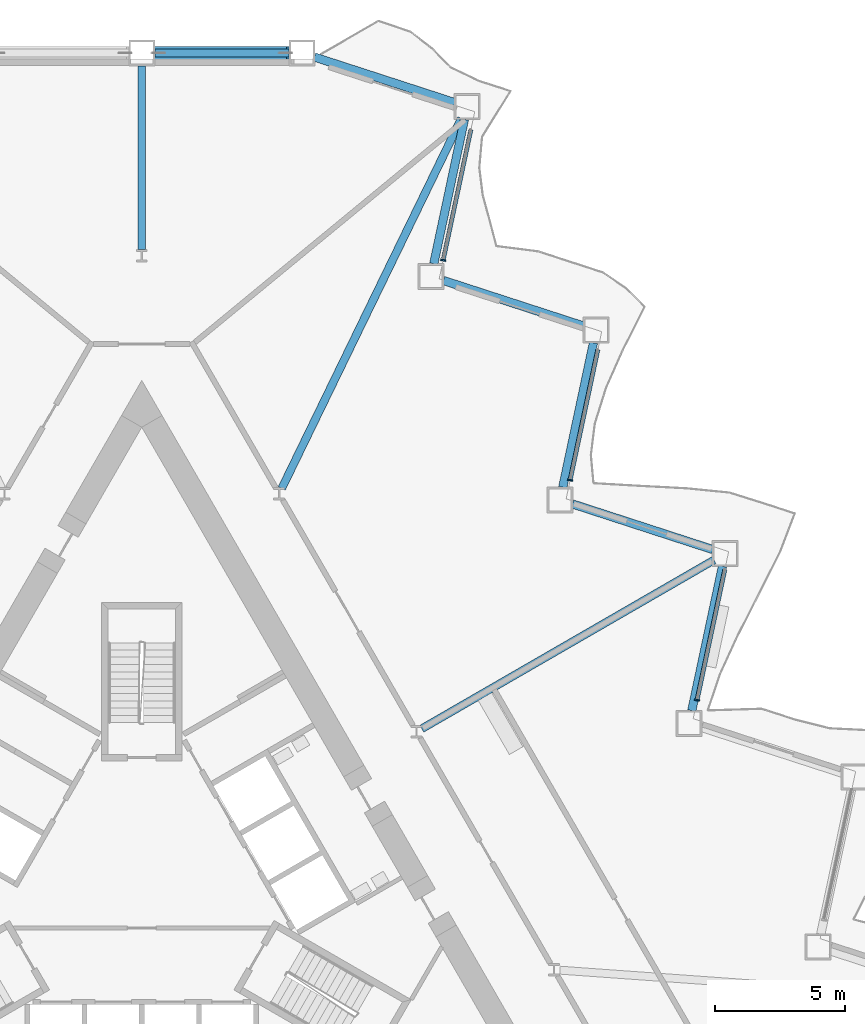
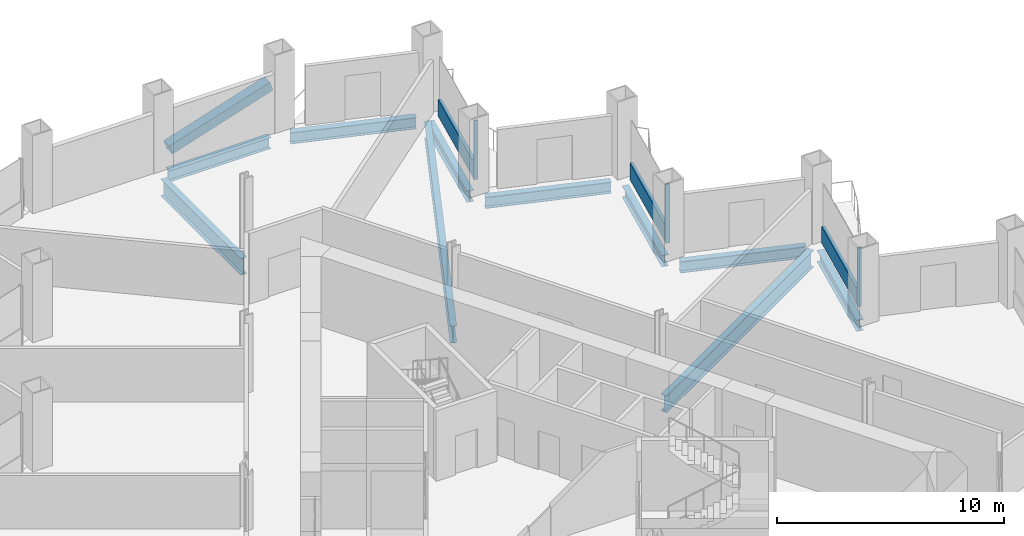
# One storey, part 7 of 20: 10 beams, 7 members, 3 elements without a shape of their own.
"""IFC4 building model written with IfcOpenShell, lengths in metres."""

from ifc_helpers import new_model, si_unit, direction, frame, origin, origin_2d, place, context, subcontext, project, spatial, rectangle, hollow_rectangle, i_section, extrude, material, layer, layer_set, material_profile, profile_set, type_object, element, aggregate, save


model = new_model("IFC4")

# Units and contexts
model_context = context("Model", 3, precision=1e-05, world=origin(), true_north=direction((0.0, 1.0)))
body_context = subcontext(model_context, "Body", "Model", "MODEL_VIEW")
ifc_project = project(units=[si_unit("LENGTHUNIT", "METRE"), si_unit("AREAUNIT", "SQUARE_METRE"), si_unit("VOLUMEUNIT", "CUBIC_METRE"), si_unit("PLANEANGLEUNIT", "RADIAN"), si_unit("MASSUNIT", "GRAM", prefix="KILO")], contexts=[model_context])

# Site, building, storey
site_placement = place(None, origin())
site = spatial("IfcSite", under=ifc_project, at=site_placement, CompositionType="ELEMENT")
building_placement = place(site_placement, origin())
building = spatial("IfcBuilding", under=site, at=building_placement, Name="Cormorant Prow Tower", CompositionType="ELEMENT")
storey_placement = place(building_placement, frame((0.0, 0.0, 59.39990234375)))
storey = spatial("IfcBuildingStorey", under=building, at=storey_placement, Name="L12", CompositionType="ELEMENT", Elevation=59.39990234375)

# Member
ifc_material_1 = material(Name="Structural steel ASTM A500 Gr C", Category="steel")
ifc_material_profile_1 = material_profile(ifc_material_1, hollow_rectangle(XDim=0.508056640625, YDim=0.508056640625, WallThickness=0.014892578125, at=origin_2d()), Name="HSS20x20x5/8")
ifc_profile_set_1 = profile_set([ifc_material_profile_1], Name="Structural steel ASTM A500 Gr C")
member_type_1 = type_object("IfcMemberType", Name="Chamfer brace HSS20x20x5/8", PredefinedType="BRACE", material=ifc_profile_set_1)
member_1_placement = place(storey_placement, frame((0.518798828125, 32.233642578125, 0.767333984375), z_axis=(0.951761092368, 0.0, 0.306840061033), x_axis=(0.0, 1.0, 0.0)))
element("IfcMember", 1, at=member_1_placement, inside=storey, type_object=member_type_1, Name="Chamfer brace BR1 at N00 L12", PredefinedType="BRACE", context=body_context, shape_type="SweptSolid", body=[
    extrude(hollow_rectangle(XDim=0.508056640625, YDim=0.508056640625, WallThickness=0.014892578125, at=origin_2d()), origin(), (0.0, 0.0, 1.0), 5.39208984375),
])

# Curtain wall, member
ifc_material_2 = material(Name="Aluminium 6063-T6", Category="aluminium")
ifc_layer = layer(ifc_material_2, 0.199951171875)
ifc_layer_set = layer_set([ifc_layer], Name="Aluminium 6063-T6")
curtain_wall_type = type_object("IfcCurtainWallType", Name="Office unitised curtain wall 200", PredefinedType="NOTDEFINED", material=ifc_layer_set)
curtain_wall_1_placement = place(storey_placement, origin())
curtain_wall_1 = element("IfcCurtainWall", 2, at=curtain_wall_1_placement, inside=storey, type_object=curtain_wall_type, Name="Office curtain wall ENE04", PredefinedType="NOTDEFINED")
ifc_material_3 = material(Name="Aluminium 6063-T6", Category="aluminium")
ifc_material_profile_2 = material_profile(ifc_material_3, rectangle(XDim=0.199951171875, YDim=0.06005859375, at=origin_2d()), Name="Office mullion 60x200")
ifc_profile_set_2 = profile_set([ifc_material_profile_2], Name="Aluminium 6063-T6")
member_type_2 = type_object("IfcMemberType", Name="Office mullion 60x200", PredefinedType="MULLION", material=ifc_profile_set_2)
member_2_placement = place(storey_placement, frame((21.376953125, 7.326904296875, 0.0), z_axis=(0.0, 0.0, 1.0), x_axis=(-0.978147607222, 0.207911660293, 0.0)))
member_2 = element("IfcMember", 3, at=member_2_placement, type_object=member_type_2, Name="Office mullion ENE04", PredefinedType="MULLION", context=body_context, shape_type="SweptSolid", body=[
    extrude(rectangle(XDim=0.199951171875, YDim=0.06005859375, at=origin_2d()), origin(), (0.0, 0.0, 1.0), 3.18896484375),
])

curtain_wall_2_placement = place(storey_placement, origin())
curtain_wall_2 = element("IfcCurtainWall", 4, at=curtain_wall_2_placement, inside=storey, type_object=curtain_wall_type, Name="Office curtain wall ENE06", PredefinedType="NOTDEFINED")
member_3_placement = place(storey_placement, frame((16.489013671875, 15.79296875, 0.0), z_axis=(0.0, 0.0, 1.0), x_axis=(-0.978147576301, 0.207911805763, 0.0)))
member_3 = element("IfcMember", 5, at=member_3_placement, type_object=member_type_2, Name="Office mullion ENE06", PredefinedType="MULLION", context=body_context, shape_type="SweptSolid", body=[
    extrude(rectangle(XDim=0.199951171875, YDim=0.06005859375, at=origin_2d()), origin(), (0.0, 0.0, 1.0), 3.18896484375),
])

curtain_wall_3_placement = place(storey_placement, origin())
curtain_wall_3 = element("IfcCurtainWall", 6, at=curtain_wall_3_placement, inside=storey, type_object=curtain_wall_type, Name="Office curtain wall ENE08", PredefinedType="NOTDEFINED")
member_4_placement = place(storey_placement, frame((11.601318359375, 24.2587890625, 0.0), z_axis=(0.0, 0.0, 1.0), x_axis=(-0.978147576301, 0.207911805763, 0.0)))
member_4 = element("IfcMember", 7, at=member_4_placement, type_object=member_type_2, Name="Office mullion ENE08", PredefinedType="MULLION", context=body_context, shape_type="SweptSolid", body=[
    extrude(rectangle(XDim=0.199951171875, YDim=0.06005859375, at=origin_2d()), origin(), (0.0, 0.0, 1.0), 3.18896484375),
])

# Member
ifc_material_4 = material(Name="Terracotta", Category="masonry")
ifc_material_profile_3 = material_profile(ifc_material_4, rectangle(XDim=0.159912109375, YDim=0.89990234375, at=origin_2d()), Name="Office terracotta spandrel rail 160x900")
ifc_profile_set_3 = profile_set([ifc_material_profile_3], Name="Terracotta")
member_type_3 = type_object("IfcMemberType", Name="Office terracotta spandrel rail 160x900", PredefinedType="USERDEFINED", material=ifc_profile_set_3)
member_5_placement = place(storey_placement, frame((21.383056640625, 7.3564453125, 0.4501953125), z_axis=(0.207933595609, 0.97814294447, 0.0), x_axis=(-0.97814294447, 0.207933595609, 0.0)))
member_5 = element("IfcMember", 8, at=member_5_placement, type_object=member_type_3, Name="Office spandrel rail ENE04", ObjectType="TRANSOM", PredefinedType="USERDEFINED", context=body_context, shape_type="SweptSolid", body=[
    extrude(rectangle(XDim=0.159912109375, YDim=0.89990234375, at=origin_2d()), origin(), (0.0, 0.0, 1.0), 5.111083984375),
])

aggregate(curtain_wall_1, [member_2, member_5])

member_6_placement = place(storey_placement, frame((16.495361328125, 15.822265625, 0.4501953125), z_axis=(0.207923880601, 0.978145009636, 0.0), x_axis=(-0.978145009636, 0.207923880601, 0.0)))
member_6 = element("IfcMember", 9, at=member_6_placement, type_object=member_type_3, Name="Office spandrel rail ENE06", ObjectType="TRANSOM", PredefinedType="USERDEFINED", context=body_context, shape_type="SweptSolid", body=[
    extrude(rectangle(XDim=0.159912109375, YDim=0.89990234375, at=origin_2d()), origin(), (0.0, 0.0, 1.0), 5.111328125),
])

aggregate(curtain_wall_2, [member_3, member_6])

member_7_placement = place(storey_placement, frame((11.607666015625, 24.2880859375, 0.4501953125), z_axis=(0.20787817929, 0.978154723229, 0.0), x_axis=(-0.978154723229, 0.20787817929, 0.0)))
member_7 = element("IfcMember", 10, at=member_7_placement, type_object=member_type_3, Name="Office spandrel rail ENE08", ObjectType="TRANSOM", PredefinedType="USERDEFINED", context=body_context, shape_type="SweptSolid", body=[
    extrude(rectangle(XDim=0.159912109375, YDim=0.89990234375, at=origin_2d()), origin(), (0.0, 0.0, 1.0), 5.111083984375),
])

aggregate(curtain_wall_3, [member_4, member_7])

# Beams
ifc_material_5 = material(Name="Structural steel ASTM A992 Gr 50", Category="steel")
ifc_material_profile_4 = material_profile(ifc_material_5, i_section(OverallWidth=0.3046875, OverallDepth=0.914794921875, WebThickness=0.0166015625, FlangeThickness=0.02587890625, at=origin_2d()), Name="W36x160")
ifc_profile_set_4 = profile_set([ifc_material_profile_4], Name="Structural steel ASTM A992 Gr 50")
beam_type_1 = type_object("IfcBeamType", Name="Radial floor beam W36x160", PredefinedType="BEAM", material=ifc_profile_set_4)
beam_1_placement = place(storey_placement, frame((0.0, 24.662109375, -0.857177734375), z_axis=(0.0, 1.0, 0.0), x_axis=(-1.0, 0.0, 0.0)))
element("IfcBeam", 11, at=beam_1_placement, inside=storey, type_object=beam_type_1, Name="Radial floor beam FB1 1 L12", PredefinedType="BEAM", context=body_context, shape_type="SweptSolid", body=[
    extrude(i_section(OverallWidth=0.3046875, OverallDepth=0.914794921875, WebThickness=0.0166015625, FlangeThickness=0.02587890625, at=origin_2d()), origin(), (0.0, 0.0, 1.0), 7.071533203125),
])
beam_2_placement = place(storey_placement, frame((10.779541015625, 6.2236328125, -0.857177734375), z_axis=(0.866030278318, 0.499991556966, 0.0), x_axis=(-0.499991556966, 0.866030278318, 0.0)))
element("IfcBeam", 12, at=beam_2_placement, inside=storey, type_object=beam_type_1, Name="Radial floor beam FB1 11 L12", PredefinedType="BEAM", context=body_context, shape_type="SweptSolid", body=[
    extrude(i_section(OverallWidth=0.3046875, OverallDepth=0.914794921875, WebThickness=0.0166015625, FlangeThickness=0.02587890625, at=origin_2d()), origin(), (0.0, 0.0, 1.0), 12.984130859375),
])
beam_3_placement = place(storey_placement, frame((5.390625, 15.4775390625, -0.857177734375), z_axis=(0.436839436813, 0.899539496879, 0.0), x_axis=(-0.899539496879, 0.436839436813, 0.0)))
element("IfcBeam", 13, at=beam_3_placement, inside=storey, type_object=beam_type_1, Name="Radial floor beam FB1 12 L12", PredefinedType="BEAM", context=body_context, shape_type="SweptSolid", body=[
    extrude(i_section(OverallWidth=0.3046875, OverallDepth=0.914794921875, WebThickness=0.0166015625, FlangeThickness=0.02587890625, at=origin_2d()), origin(), (0.0, 0.0, 1.0), 15.83203125),
])
ifc_material_6 = material(Name="Structural steel ASTM A992 Gr 50", Category="steel")
ifc_material_profile_5 = material_profile(ifc_material_6, i_section(OverallWidth=0.32373046875, OverallDepth=0.611083984375, WebThickness=0.0126953125, FlangeThickness=0.01904296875, at=origin_2d()), Name="W24x104")
ifc_profile_set_5 = profile_set([ifc_material_profile_5], Name="Structural steel ASTM A992 Gr 50")
beam_type_2 = type_object("IfcBeamType", Name="Spandrel beam W24x104", PredefinedType="SPANDREL", material=ifc_profile_set_5)
beam_4_placement = place(storey_placement, frame((21.171875, 6.918212890625, -0.70556640625), z_axis=(0.207900376723, 0.97815000555, 0.0), x_axis=(-0.97815000555, 0.207900376723, 0.0)))
element("IfcBeam", 14, at=beam_4_placement, inside=storey, type_object=beam_type_2, Name="Spandrel beam SB1 ENE04-ENE05 L12", PredefinedType="SPANDREL", context=body_context, shape_type="SweptSolid", body=[
    extrude(i_section(OverallWidth=0.32373046875, OverallDepth=0.611083984375, WebThickness=0.0126953125, FlangeThickness=0.01904296875, at=origin_2d()), origin(), (0.0, 0.0, 1.0), 5.6826171875),
])
beam_5_placement = place(storey_placement, frame((21.981689453125, 13.1201171875, -0.70556640625), z_axis=(-0.951049222751, 0.309039440696, 0.0), x_axis=(-0.309039440696, -0.951049222751, 0.0)))
element("IfcBeam", 15, at=beam_5_placement, inside=storey, type_object=beam_type_2, Name="Spandrel beam SB1 ENE05-ENE06 L12", PredefinedType="SPANDREL", context=body_context, shape_type="SweptSolid", body=[
    extrude(i_section(OverallWidth=0.32373046875, OverallDepth=0.611083984375, WebThickness=0.0126953125, FlangeThickness=0.01904296875, at=origin_2d()), origin(), (0.0, 0.0, 1.0), 5.682373046875),
])
beam_6_placement = place(storey_placement, frame((16.205810546875, 15.519775390625, -0.70556640625), z_axis=(0.207900376723, 0.97815000555, 0.0), x_axis=(-0.97815000555, 0.207900376723, 0.0)))
element("IfcBeam", 16, at=beam_6_placement, inside=storey, type_object=beam_type_2, Name="Spandrel beam SB1 ENE06-ENE07 L12", PredefinedType="SPANDREL", context=body_context, shape_type="SweptSolid", body=[
    extrude(i_section(OverallWidth=0.32373046875, OverallDepth=0.611083984375, WebThickness=0.0126953125, FlangeThickness=0.01904296875, at=origin_2d()), origin(), (0.0, 0.0, 1.0), 5.6826171875),
])
beam_7_placement = place(storey_placement, frame((17.015625, 21.7216796875, -0.70556640625), z_axis=(-0.951049222751, 0.309039440696, 0.0), x_axis=(-0.309039440696, -0.951049222751, 0.0)))
element("IfcBeam", 17, at=beam_7_placement, inside=storey, type_object=beam_type_2, Name="Spandrel beam SB1 ENE07-ENE08 L12", PredefinedType="SPANDREL", context=body_context, shape_type="SweptSolid", body=[
    extrude(i_section(OverallWidth=0.32373046875, OverallDepth=0.611083984375, WebThickness=0.0126953125, FlangeThickness=0.01904296875, at=origin_2d()), origin(), (0.0, 0.0, 1.0), 5.682373046875),
])
beam_8_placement = place(storey_placement, frame((11.23974609375, 24.121337890625, -0.70556640625), z_axis=(0.207900376723, 0.97815000555, 0.0), x_axis=(-0.97815000555, 0.207900376723, 0.0)))
element("IfcBeam", 18, at=beam_8_placement, inside=storey, type_object=beam_type_2, Name="Spandrel beam SB1 ENE08-ENE09 L12", PredefinedType="SPANDREL", context=body_context, shape_type="SweptSolid", body=[
    extrude(i_section(OverallWidth=0.32373046875, OverallDepth=0.611083984375, WebThickness=0.0126953125, FlangeThickness=0.01904296875, at=origin_2d()), origin(), (0.0, 0.0, 1.0), 5.6826171875),
])
beam_9_placement = place(storey_placement, frame((12.049560546875, 30.3232421875, -0.70556640625), z_axis=(-0.951061849722, 0.309000579292, 0.0), x_axis=(-0.309000579292, -0.951061849722, 0.0)))
element("IfcBeam", 19, at=beam_9_placement, inside=storey, type_object=beam_type_2, Name="Spandrel beam SB1 ENE09-N00 L12", PredefinedType="SPANDREL", context=body_context, shape_type="SweptSolid", body=[
    extrude(i_section(OverallWidth=0.32373046875, OverallDepth=0.611083984375, WebThickness=0.0126953125, FlangeThickness=0.01904296875, at=origin_2d()), origin(), (0.0, 0.0, 1.0), 5.682373046875),
])
beam_10_placement = place(storey_placement, frame((5.669677734375, 32.233642578125, -0.70556640625), z_axis=(-1.0, 0.0, 0.0), x_axis=(0.0, -1.0, 0.0)))
element("IfcBeam", 20, at=beam_10_placement, inside=storey, type_object=beam_type_2, Name="Spandrel beam SB1 N00-N01 L12", PredefinedType="SPANDREL", context=body_context, shape_type="SweptSolid", body=[
    extrude(i_section(OverallWidth=0.32373046875, OverallDepth=0.611083984375, WebThickness=0.0126953125, FlangeThickness=0.01904296875, at=origin_2d()), origin(), (0.0, 0.0, 1.0), 5.169677734375),
])

save(model, "model.ifc")
